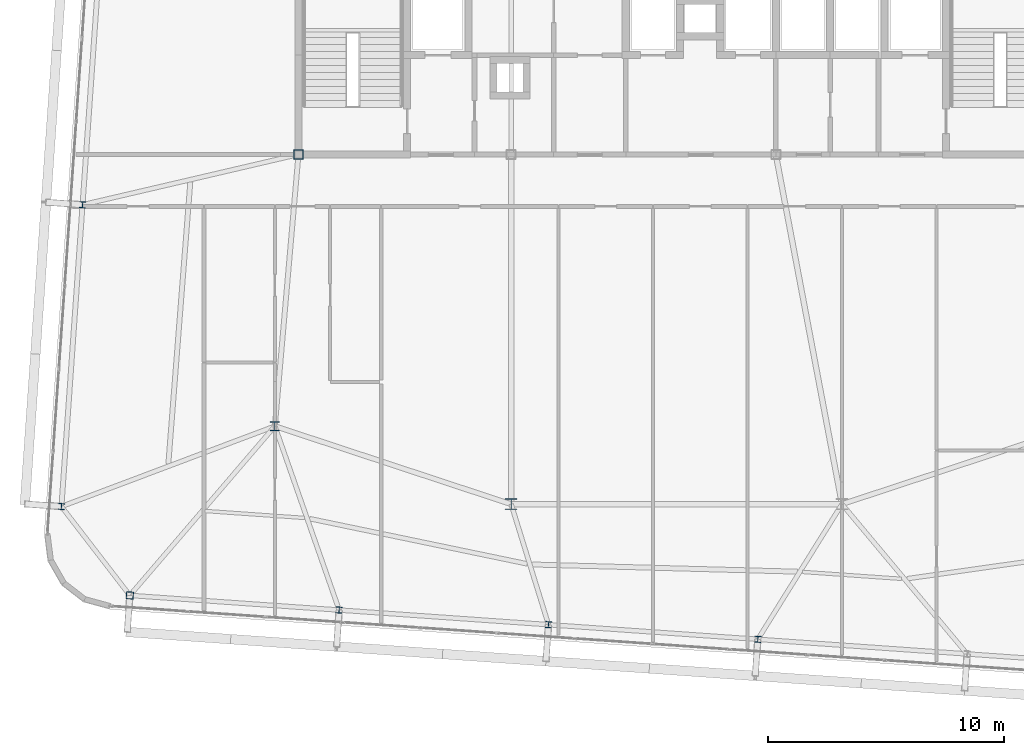
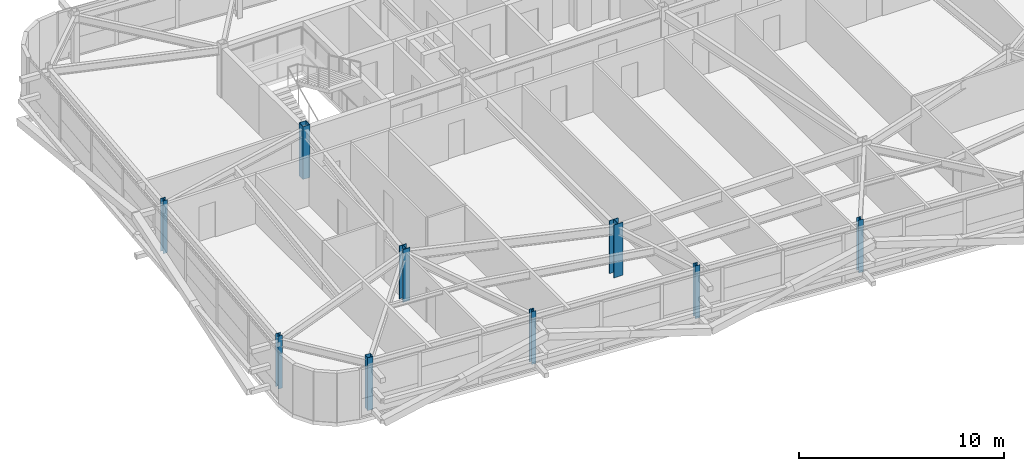
# One storey, part 1 of 47: 9 columns.
"""IFC4 building model written with IfcOpenShell, lengths in metres."""

from ifc_helpers import new_model, si_unit, direction, frame, origin, origin_2d, place, context, subcontext, project, spatial, hollow_rectangle, i_section, extrude, source, transform, mapped, material, material_profile, profile_set, type_object, element, save


model = new_model("IFC4")

# Units and contexts
model_context = context("Model", 3, precision=1e-05, world=origin(), true_north=direction((0.0, 1.0)))
body_context = subcontext(model_context, "Body", "Model", "MODEL_VIEW")
ifc_project = project(units=[si_unit("LENGTHUNIT", "METRE"), si_unit("AREAUNIT", "SQUARE_METRE"), si_unit("VOLUMEUNIT", "CUBIC_METRE"), si_unit("PLANEANGLEUNIT", "RADIAN"), si_unit("MASSUNIT", "GRAM", prefix="KILO")], contexts=[model_context])

# Site, building, storey
site_placement = place(None, origin())
site = spatial("IfcSite", under=ifc_project, at=site_placement, CompositionType="ELEMENT")
building_placement = place(site_placement, origin())
building = spatial("IfcBuilding", under=site, at=building_placement, Name="Taldren Reach Tower", CompositionType="ELEMENT")
storey_placement = place(building_placement, frame((0.0, 0.0, 139.300048828125)))
storey = spatial("IfcBuildingStorey", under=building, at=storey_placement, Name="L42", CompositionType="ELEMENT", Elevation=139.300048828125)

# Columns
ifc_material_1 = material(Name="Steel Gr 350 (350PLUS)", Category="steel")
ifc_material_profile_1 = material_profile(ifc_material_1, i_section(OverallWidth=0.39990234375, OverallDepth=0.39599609375, WebThickness=0.02197265625, FlangeThickness=0.033935546875, at=origin_2d()), Name="400WC270")
ifc_profile_set_1 = profile_set([ifc_material_profile_1], Name="Steel Gr 350 (350PLUS)")
column_type_1 = type_object("IfcColumnType", Name="COL-WC400", PredefinedType="COLUMN", material=ifc_profile_set_1)
shared_shape_1 = source(origin(), body_context, "Body", "SweptSolid", [
    extrude(i_section(OverallWidth=0.39990234375, OverallDepth=0.39599609375, WebThickness=0.02197265625, FlangeThickness=0.033935546875, at=origin_2d()), origin(), (0.0, 0.0, 1.0), 3.14990234375),
])
column_1_placement = place(storey_placement, frame((18.0, 12.5, 0.0), z_axis=(0.0, 0.0, 1.0), x_axis=(1.0, 0.0, 0.0)))
element("IfcColumn", 1, at=column_1_placement, inside=storey, type_object=column_type_1, Name="Mega column MC-SW L42", PredefinedType="COLUMN", context=body_context, shape_type="MappedRepresentation", body=[
    mapped(shared_shape_1, transform((0.0, 0.0, 0.0), scale=1.0)),
])
ifc_material_profile_2 = material_profile(ifc_material_1, i_section(OverallWidth=0.5, OverallDepth=0.464111328125, WebThickness=0.02197265625, FlangeThickness=0.033935546875, at=origin_2d()), Name="500WC340")
ifc_profile_set_2 = profile_set([ifc_material_profile_2], Name="Steel Gr 350 (350PLUS)")
column_type_2 = type_object("IfcColumnType", Name="COL-WC500B", PredefinedType="COLUMN", material=ifc_profile_set_2)
shared_shape_2 = source(origin(), body_context, "Body", "SweptSolid", [
    extrude(i_section(OverallWidth=0.5, OverallDepth=0.464111328125, WebThickness=0.02197265625, FlangeThickness=0.033935546875, at=origin_2d()), origin(), (0.0, 0.0, 1.0), 3.14990234375),
])
column_2_placement = place(storey_placement, frame((28.0, 9.199951171875, 0.0), z_axis=(0.0, 0.0, 1.0), x_axis=(1.0, 0.0, 0.0)))
element("IfcColumn", 2, at=column_2_placement, inside=storey, type_object=column_type_2, Name="Mega column MC-PJW L42", PredefinedType="COLUMN", context=body_context, shape_type="MappedRepresentation", body=[
    mapped(shared_shape_2, transform((0.0, 0.0, 0.0), scale=1.0)),
])
ifc_material_2 = material(Name="Steel Gr 450 (C450L0)", Category="steel")
ifc_material_profile_3 = material_profile(ifc_material_2, hollow_rectangle(XDim=0.39990234375, YDim=0.39990234375, WallThickness=0.01611328125, at=origin_2d()), Name="400x400x16.0SHS")
ifc_profile_set_3 = profile_set([ifc_material_profile_3], Name="Steel Gr 450 (C450L0)")
column_type_3 = type_object("IfcColumnType", Name="COL-SHS400", PredefinedType="COLUMN", material=ifc_profile_set_3)
shared_shape_3 = source(origin(), body_context, "Body", "SweptSolid", [
    extrude(hollow_rectangle(XDim=0.39990234375, YDim=0.39990234375, WallThickness=0.01611328125, at=origin_2d()), origin(), (0.0, 0.0, 1.0), 3.14990234375),
])
column_3_placement = place(storey_placement, frame((19.0, 24.0, 0.0), z_axis=(0.0, 0.0, 1.0), x_axis=(1.0, 0.0, 0.0)))
element("IfcColumn", 3, at=column_3_placement, inside=storey, type_object=column_type_3, Name="Mega column MC-C1 L42", PredefinedType="COLUMN", context=body_context, shape_type="MappedRepresentation", body=[
    mapped(shared_shape_3, transform((0.0, 0.0, 0.0), scale=1.0)),
])
ifc_material_profile_4 = material_profile(ifc_material_2, hollow_rectangle(XDim=0.300048828125, YDim=0.300048828125, WallThickness=0.012451171875, at=origin_2d()), Name="300x300x12.5SHS")
ifc_profile_set_4 = profile_set([ifc_material_profile_4], Name="Steel Gr 450 (C450L0)")
column_type_4 = type_object("IfcColumnType", Name="COL-SHS300", PredefinedType="COLUMN", material=ifc_profile_set_4)
shared_shape_4 = source(origin(), body_context, "Body", "SweptSolid", [
    extrude(hollow_rectangle(XDim=0.300048828125, YDim=0.300048828125, WallThickness=0.012451171875, at=origin_2d()), origin(), (0.0, 0.0, 1.0), 3.14990234375),
])
column_4_placement = place(storey_placement, frame((11.863525390625, 5.33837890625, 0.0), z_axis=(0.0, 0.0, 1.0), x_axis=(0.99756405026, -0.069756473744, 0.0)))
element("IfcColumn", 4, at=column_4_placement, inside=storey, type_object=column_type_4, Name="Block B3 perimeter column S1 L42", PredefinedType="COLUMN", context=body_context, shape_type="MappedRepresentation", body=[
    mapped(shared_shape_4, transform((0.0, 0.0, 0.0), scale=1.0)),
])
ifc_material_profile_5 = material_profile(ifc_material_1, i_section(OverallWidth=0.256103515625, OverallDepth=0.260009765625, WebThickness=0.010498046875, FlangeThickness=0.017333984375, at=origin_2d()), Name="250UC89.5")
ifc_profile_set_5 = profile_set([ifc_material_profile_5], Name="Steel Gr 350 (350PLUS)")
column_type_5 = type_object("IfcColumnType", Name="COL-UC250", PredefinedType="COLUMN", material=ifc_profile_set_5)
shared_shape_5 = source(origin(), body_context, "Body", "SweptSolid", [
    extrude(i_section(OverallWidth=0.256103515625, OverallDepth=0.260009765625, WebThickness=0.010498046875, FlangeThickness=0.017333984375, at=origin_2d()), origin(), (0.0, 0.0, 1.0), 3.14990234375),
])
for number, where, z_axis, x_axis, name in (
    (5, (20.721923828125, 4.718994140625, 0.0), (0.0, 0.0, 1.0), (0.99756405026, -0.069756473744, 0.0), "Block B3 perimeter column S2 L42"),
    (6, (29.580322265625, 4.099609375, 0.0), (0.0, 0.0, 1.0), (0.99756405026, -0.069756473744, 0.0), "Block B3 perimeter column S3 L42"),
    (7, (38.438720703125, 3.480224609375, 0.0), (0.0, 0.0, 1.0), (0.99756405026, -0.069756473744, 0.0), "Block B3 perimeter column S4 L42"),
    (8, (8.96875, 9.099609375, 0.0), (0.0, 0.0, 1.0), (0.99756405026, -0.069756473744, 0.0), "Block B3 perimeter column W1 L42"),
    (9, (9.86181640625, 21.868408203125, 0.0), (0.0, 0.0, 1.0), (0.99756405026, -0.069756473744, 0.0), "Block B3 perimeter column W2 L42"),
):
    element("IfcColumn", number, at=place(storey_placement, frame(where, z_axis=z_axis, x_axis=x_axis)), inside=storey, type_object=column_type_5, Name=name, PredefinedType="COLUMN", context=body_context, shape_type="MappedRepresentation", body=[
        mapped(shared_shape_5, transform((0.0, 0.0, 0.0), scale=1.0)),
    ])

save(model, "model.ifc")
